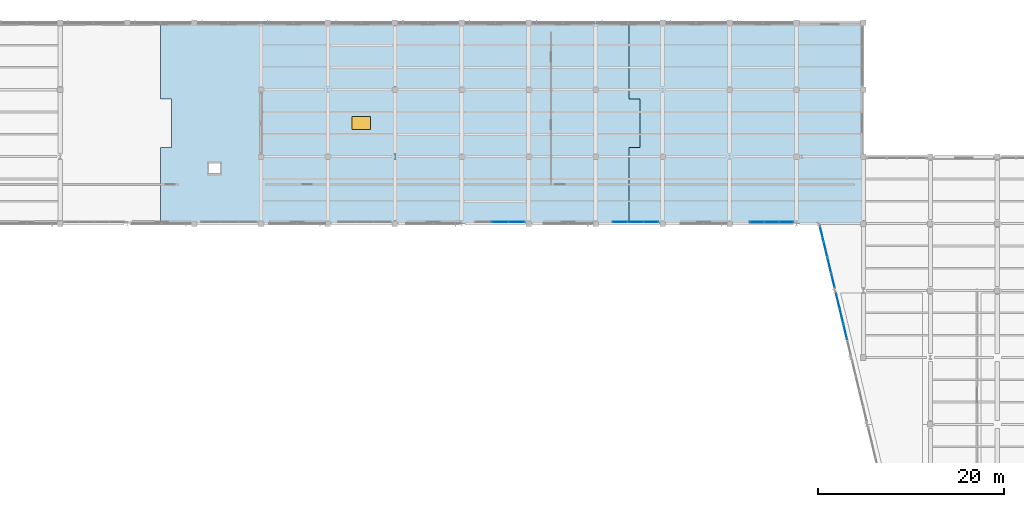
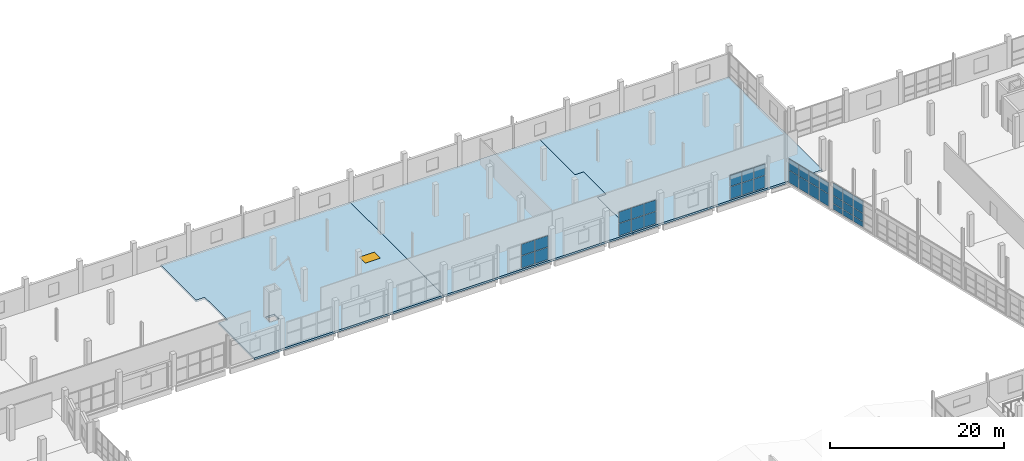
# One storey, part 77 of 123: 33 plates, 3 slabs, 1 window, 1 opening, 5 elements without a shape of their own.
"""IFC4 building model written with IfcOpenShell, lengths in metres."""

from ifc_helpers import new_model, si_unit, direction, frame, origin, origin_2d, place, context, subcontext, project, spatial, polyline, rectangle, outline, extrude, material, layer, layer_set, type_object, element, fill, aggregate, save


model = new_model("IFC4")

# Units and contexts
model_context = context("Model", 3, precision=1e-05, world=origin(), true_north=direction((0.0, 1.0)))
body_context = subcontext(model_context, "Body", "Model", "MODEL_VIEW")
ifc_project = project(units=[si_unit("LENGTHUNIT", "METRE"), si_unit("AREAUNIT", "SQUARE_METRE"), si_unit("VOLUMEUNIT", "CUBIC_METRE"), si_unit("PLANEANGLEUNIT", "RADIAN"), si_unit("MASSUNIT", "GRAM", prefix="KILO")], contexts=[model_context])

# Site, building, storey
site_placement = place(None, origin())
site = spatial("IfcSite", under=ifc_project, at=site_placement, CompositionType="ELEMENT")
building_placement = place(site_placement, origin())
building = spatial("IfcBuilding", under=site, at=building_placement, Name="Kalmorath City Hall", CompositionType="ELEMENT")
storey_placement = place(building_placement, frame((0.0, 0.0, 10.199951171875)))
storey = spatial("IfcBuildingStorey", under=building, at=storey_placement, Name="L02", CompositionType="ELEMENT", Elevation=10.199951171875)

# Slab, opening, window
ifc_material_1 = material(Name="Concrete C40/50", Category="concrete")
ifc_layer_1 = layer(ifc_material_1, 0.280029296875)
ifc_layer_set_1 = layer_set([ifc_layer_1], Name="Concrete C40/50")
slab_type = type_object("IfcSlabType", Name="Concrete composite floor slab 280", PredefinedType="FLOOR", material=ifc_layer_set_1)
slab_1_placement = place(storey_placement, frame((0.0, 0.0, -0.280029296875)))
slab_1 = element("IfcSlab", 1, at=slab_1_placement, inside=storey, type_object=slab_type, Name="L02 Basalt Rear Committee Wing slab FS2-2", PredefinedType="FLOOR", context=body_context, shape_type="SweptSolid", body=[
    extrude(outline(polyline([(54.0, 101.800048828125), (55.14990234375, 101.800048828125), (55.14990234375, 107.0), (54.0, 107.0), (54.0, 115.199951171875), (79.199951171875, 115.199951171875), (79.199951171875, 93.60009765625), (54.0, 93.60009765625), (54.0, 101.800048828125)]), holes=[polyline([(59.199951171875, 100.080078125), (59.199951171875, 99.0), (60.39990234375, 99.0), (60.39990234375, 100.080078125), (59.199951171875, 100.080078125)])]), origin(), (0.0, 0.0, 1.0), 0.280029296875),
])
opening_placement = place(slab_1_placement, frame((75.60009765625, 104.39990234375, 0.0)))
opening = element("IfcOpeningElement", 2, at=opening_placement, cuts=slab_1, Name="Opening SK2", PredefinedType="OPENING", context=body_context, shape_type="SweptSolid", body=[
    extrude(rectangle(XDim=2.0, YDim=1.39990234375, at=origin_2d()), origin(), (0.0, 0.0, 1.0), 0.280029296875),
])
ifc_material_2 = material(Name="Aluminium and laminated glass", Category="aluminium")
window_type = type_object("IfcWindowType", Name="Library clerestory roof skylight 2000x1400", PartitioningType="SINGLE_PANEL", PredefinedType="SKYLIGHT", material=ifc_material_2)
window_placement = place(opening_placement, frame((0.0, 0.0, 0.22998046875)))
window = element("IfcWindow", 3, at=window_placement, inside=storey, type_object=window_type, Name="L02 skylight SK2-5", OverallHeight=1.39990234375, OverallWidth=2.0, PartitioningType="SINGLE_PANEL", PredefinedType="SKYLIGHT", context=body_context, shape_type="SweptSolid", body=[
    extrude(rectangle(XDim=2.0, YDim=1.39990234375, at=origin_2d()), origin(), (0.0, 0.0, 1.0), 0.050048828125),
])
fill(opening, window)

# Slabs
slab_2_placement = place(storey_placement, frame((0.0, 0.0, -0.280029296875)))
element("IfcSlab", 4, at=slab_2_placement, inside=storey, type_object=slab_type, Name="L02 Basalt Rear Committee Wing slab FS2-3", PredefinedType="FLOOR", context=body_context, shape_type="SweptSolid", body=[
    extrude(outline(polyline([(79.199951171875, 115.199951171875), (104.39990234375, 115.199951171875), (104.39990234375, 107.0), (105.550048828125, 107.0), (105.550048828125, 101.800048828125), (104.39990234375, 101.800048828125), (104.39990234375, 93.60009765625), (79.199951171875, 93.60009765625), (79.199951171875, 115.199951171875)])), origin(), (0.0, 0.0, 1.0), 0.280029296875),
])
slab_3_placement = place(storey_placement, frame((0.0, 0.0, -0.280029296875)))
element("IfcSlab", 5, at=slab_3_placement, inside=storey, type_object=slab_type, Name="L02 Basalt Rear Committee Wing slab FS2-4", PredefinedType="FLOOR", context=body_context, shape_type="SweptSolid", body=[
    extrude(outline(polyline([(104.39990234375, 101.800048828125), (105.550048828125, 101.800048828125), (105.550048828125, 107.0), (104.39990234375, 107.0), (104.39990234375, 115.199951171875), (129.60009765625, 115.199951171875), (129.60009765625, 93.60009765625), (104.39990234375, 93.60009765625), (104.39990234375, 101.800048828125)])), origin(), (0.0, 0.0, 1.0), 0.280029296875),
])

# Curtain wall, plates
ifc_material_3 = material(Name="Anodised aluminium and laminated glass", Category="aluminium")
curtain_wall_type_1 = type_object("IfcCurtainWallType", Name="Unitised hurricane curtain wall 5041x3471 M1750", PredefinedType="NOTDEFINED", material=ifc_material_3)
curtain_wall_1_placement = place(storey_placement, origin())
curtain_wall_1 = element("IfcCurtainWall", 6, at=curtain_wall_1_placement, inside=storey, type_object=curtain_wall_type_1, Name="L02 curtain wall CW-50X35M18 #133", PredefinedType="NOTDEFINED")
ifc_material_4 = material(Name="Hurricane laminated low-E glass", Category="glass")
ifc_layer_2 = layer(ifc_material_4, 0.028076171875)
ifc_layer_set_2 = layer_set([ifc_layer_2], Name="Hurricane laminated low-E glass")
plate_type_1 = type_object("IfcPlateType", Name="Courtyard solar-control glazed panel 28", PredefinedType="CURTAIN_PANEL", material=ifc_layer_set_2)
plate_1_placement = place(storey_placement, frame((106.753662109375, 93.760009765625, 0.06005859375), z_axis=(0.0, 0.0, 1.0), x_axis=(-1.0, 0.0, 0.0)))
plate_1 = element("IfcPlate", 7, at=plate_1_placement, type_object=plate_type_1, Name="CW-50X35M18 panel 1.1", PredefinedType="CURTAIN_PANEL", context=body_context, shape_type="SweptSolid", body=[
    extrude(rectangle(XDim=1.582763671875, YDim=0.028076171875, at=origin_2d()), origin(), (0.0, 0.0, 1.0), 1.715087890625),
])
plate_2_placement = place(storey_placement, frame((106.753662109375, 93.760009765625, 1.8349609375), z_axis=(0.0, 0.0, 1.0), x_axis=(-1.0, 0.0, 0.0)))
plate_2 = element("IfcPlate", 8, at=plate_2_placement, type_object=plate_type_1, Name="CW-50X35M18 panel 1.2", PredefinedType="CURTAIN_PANEL", context=body_context, shape_type="SweptSolid", body=[
    extrude(rectangle(XDim=1.582763671875, YDim=0.028076171875, at=origin_2d()), origin(), (0.0, 0.0, 1.0), 1.575927734375),
])
plate_3_placement = place(storey_placement, frame((105.08935546875, 93.760009765625, 0.06005859375), z_axis=(0.0, 0.0, 1.0), x_axis=(-1.0, 0.0, 0.0)))
plate_3 = element("IfcPlate", 9, at=plate_3_placement, type_object=plate_type_1, Name="CW-50X35M18 panel 2.1", PredefinedType="CURTAIN_PANEL", context=body_context, shape_type="SweptSolid", body=[
    extrude(rectangle(XDim=1.615478515625, YDim=0.028076171875, at=origin_2d()), origin(), (0.0, 0.0, 1.0), 1.715087890625),
])
plate_4_placement = place(storey_placement, frame((105.08935546875, 93.760009765625, 1.8349609375), z_axis=(0.0, 0.0, 1.0), x_axis=(-1.0, 0.0, 0.0)))
plate_4 = element("IfcPlate", 10, at=plate_4_placement, type_object=plate_type_1, Name="CW-50X35M18 panel 2.2", PredefinedType="CURTAIN_PANEL", context=body_context, shape_type="SweptSolid", body=[
    extrude(rectangle(XDim=1.615478515625, YDim=0.028076171875, at=origin_2d()), origin(), (0.0, 0.0, 1.0), 1.575927734375),
])
plate_5_placement = place(storey_placement, frame((103.42529296875, 93.760009765625, 0.06005859375), z_axis=(0.0, 0.0, 1.0), x_axis=(-1.0, 0.0, 0.0)))
plate_5 = element("IfcPlate", 11, at=plate_5_placement, type_object=plate_type_1, Name="CW-50X35M18 panel 3.1", PredefinedType="CURTAIN_PANEL", context=body_context, shape_type="SweptSolid", body=[
    extrude(rectangle(XDim=1.582763671875, YDim=0.028076171875, at=origin_2d()), origin(), (0.0, 0.0, 1.0), 1.715087890625),
])
plate_6_placement = place(storey_placement, frame((103.42529296875, 93.760009765625, 1.8349609375), z_axis=(0.0, 0.0, 1.0), x_axis=(-1.0, 0.0, 0.0)))
plate_6 = element("IfcPlate", 12, at=plate_6_placement, type_object=plate_type_1, Name="CW-50X35M18 panel 3.2", PredefinedType="CURTAIN_PANEL", context=body_context, shape_type="SweptSolid", body=[
    extrude(rectangle(XDim=1.582763671875, YDim=0.028076171875, at=origin_2d()), origin(), (0.0, 0.0, 1.0), 1.575927734375),
])
aggregate(curtain_wall_1, [plate_1, plate_2, plate_3, plate_4, plate_5, plate_6])

ifc_material_5 = material(Name="Anodised aluminium and laminated glass", Category="aluminium")
curtain_wall_type_2 = type_object("IfcCurtainWallType", Name="Unitised hurricane curtain wall 5395x3471 M1750", PredefinedType="NOTDEFINED", material=ifc_material_5)
curtain_wall_2_placement = place(storey_placement, origin())
curtain_wall_2 = element("IfcCurtainWall", 13, at=curtain_wall_2_placement, inside=storey, type_object=curtain_wall_type_2, Name="L02 curtain wall CW-54X35M18 #134", PredefinedType="NOTDEFINED")
plate_7_placement = place(storey_placement, frame((92.294677734375, 93.760009765625, 0.06005859375), z_axis=(0.0, 0.0, 1.0), x_axis=(-1.0, 0.0, 0.0)))
plate_7 = element("IfcPlate", 14, at=plate_7_placement, type_object=plate_type_1, Name="CW-54X35M18 panel 1.1", PredefinedType="CURTAIN_PANEL", context=body_context, shape_type="SweptSolid", body=[
    extrude(rectangle(XDim=1.70068359375, YDim=0.028076171875, at=origin_2d()), origin(), (0.0, 0.0, 1.0), 1.715087890625),
])
plate_8_placement = place(storey_placement, frame((92.294677734375, 93.760009765625, 1.8349609375), z_axis=(0.0, 0.0, 1.0), x_axis=(-1.0, 0.0, 0.0)))
plate_8 = element("IfcPlate", 15, at=plate_8_placement, type_object=plate_type_1, Name="CW-54X35M18 panel 1.2", PredefinedType="CURTAIN_PANEL", context=body_context, shape_type="SweptSolid", body=[
    extrude(rectangle(XDim=1.70068359375, YDim=0.028076171875, at=origin_2d()), origin(), (0.0, 0.0, 1.0), 1.575927734375),
])
plate_9_placement = place(storey_placement, frame((90.5126953125, 93.760009765625, 0.06005859375), z_axis=(0.0, 0.0, 1.0), x_axis=(-1.0, 0.0, 0.0)))
plate_9 = element("IfcPlate", 16, at=plate_9_placement, type_object=plate_type_1, Name="CW-54X35M18 panel 2.1", PredefinedType="CURTAIN_PANEL", context=body_context, shape_type="SweptSolid", body=[
    extrude(rectangle(XDim=1.733154296875, YDim=0.028076171875, at=origin_2d()), origin(), (0.0, 0.0, 1.0), 1.715087890625),
])
plate_10_placement = place(storey_placement, frame((90.5126953125, 93.760009765625, 1.8349609375), z_axis=(0.0, 0.0, 1.0), x_axis=(-1.0, 0.0, 0.0)))
plate_10 = element("IfcPlate", 17, at=plate_10_placement, type_object=plate_type_1, Name="CW-54X35M18 panel 2.2", PredefinedType="CURTAIN_PANEL", context=body_context, shape_type="SweptSolid", body=[
    extrude(rectangle(XDim=1.733154296875, YDim=0.028076171875, at=origin_2d()), origin(), (0.0, 0.0, 1.0), 1.575927734375),
])
aggregate(curtain_wall_2, [plate_7, plate_8, plate_9, plate_10])

ifc_material_6 = material(Name="Anodised aluminium and laminated glass", Category="aluminium")
curtain_wall_type_3 = type_object("IfcCurtainWallType", Name="Unitised hurricane curtain wall 6849x3835 M1850", PredefinedType="NOTDEFINED", material=ifc_material_6)
curtain_wall_3_placement = place(storey_placement, origin())
curtain_wall_3 = element("IfcCurtainWall", 18, at=curtain_wall_3_placement, inside=storey, type_object=curtain_wall_type_3, Name="L02 curtain wall CW-68X38M18 #130", PredefinedType="NOTDEFINED")
ifc_material_7 = material(Name="Hurricane laminated low-E glass", Category="glass")
ifc_layer_3 = layer(ifc_material_7, 0.035888671875)
ifc_layer_set_3 = layer_set([ifc_layer_3], Name="Hurricane laminated low-E glass")
plate_type_2 = type_object("IfcPlateType", Name="Library acoustic low-E glazed panel 36", PredefinedType="CURTAIN_PANEL", material=ifc_layer_set_3)
plate_11_placement = place(storey_placement, frame((127.656982421875, 81.967529296875, 0.06005859375), z_axis=(0.0, 0.0, 1.0), x_axis=(-0.233455781305, 0.97236741933, 0.0)))
plate_11 = element("IfcPlate", 19, at=plate_11_placement, type_object=plate_type_2, Name="CW-68X38M18 panel 2.1", PredefinedType="CURTAIN_PANEL", context=body_context, shape_type="SweptSolid", body=[
    extrude(rectangle(XDim=1.63720703125, YDim=0.035888671875, at=origin_2d()), origin(), (0.0, 0.0, 1.0), 0.760009765625),
])
plate_12_placement = place(storey_placement, frame((127.656982421875, 81.967529296875, 0.880126953125), z_axis=(0.0, 0.0, 1.0), x_axis=(-0.233455781305, 0.97236741933, 0.0)))
plate_12 = element("IfcPlate", 20, at=plate_12_placement, type_object=plate_type_2, Name="CW-68X38M18 panel 2.2", PredefinedType="CURTAIN_PANEL", context=body_context, shape_type="SweptSolid", body=[
    extrude(rectangle(XDim=1.63720703125, YDim=0.035888671875, at=origin_2d()), origin(), (0.0, 0.0, 1.0), 1.083984375),
])
plate_13_placement = place(storey_placement, frame((127.656982421875, 81.967529296875, 2.024169921875), z_axis=(0.0, 0.0, 1.0), x_axis=(-0.233455781305, 0.97236741933, 0.0)))
plate_13 = element("IfcPlate", 21, at=plate_13_placement, type_object=plate_type_2, Name="CW-68X38M18 panel 2.3", PredefinedType="CURTAIN_PANEL", context=body_context, shape_type="SweptSolid", body=[
    extrude(rectangle(XDim=1.63720703125, YDim=0.035888671875, at=origin_2d()), origin(), (0.0, 0.0, 1.0), 1.7509765625),
])
plate_14_placement = place(storey_placement, frame((127.25732421875, 83.632568359375, 0.06005859375), z_axis=(0.0, 0.0, 1.0), x_axis=(-0.233455781305, 0.97236741933, 0.0)))
plate_14 = element("IfcPlate", 22, at=plate_14_placement, type_object=plate_type_2, Name="CW-68X38M18 panel 3.1", PredefinedType="CURTAIN_PANEL", context=body_context, shape_type="SweptSolid", body=[
    extrude(rectangle(XDim=1.63720703125, YDim=0.035888671875, at=origin_2d()), origin(), (0.0, 0.0, 1.0), 0.760009765625),
])
plate_15_placement = place(storey_placement, frame((127.25732421875, 83.632568359375, 0.880126953125), z_axis=(0.0, 0.0, 1.0), x_axis=(-0.233455781305, 0.97236741933, 0.0)))
plate_15 = element("IfcPlate", 23, at=plate_15_placement, type_object=plate_type_2, Name="CW-68X38M18 panel 3.2", PredefinedType="CURTAIN_PANEL", context=body_context, shape_type="SweptSolid", body=[
    extrude(rectangle(XDim=1.63720703125, YDim=0.035888671875, at=origin_2d()), origin(), (0.0, 0.0, 1.0), 1.083984375),
])
plate_16_placement = place(storey_placement, frame((127.25732421875, 83.632568359375, 2.024169921875), z_axis=(0.0, 0.0, 1.0), x_axis=(-0.233455781305, 0.97236741933, 0.0)))
plate_16 = element("IfcPlate", 24, at=plate_16_placement, type_object=plate_type_2, Name="CW-68X38M18 panel 3.3", PredefinedType="CURTAIN_PANEL", context=body_context, shape_type="SweptSolid", body=[
    extrude(rectangle(XDim=1.63720703125, YDim=0.035888671875, at=origin_2d()), origin(), (0.0, 0.0, 1.0), 1.7509765625),
])
plate_17_placement = place(storey_placement, frame((126.86181640625, 85.279296875, 0.06005859375), z_axis=(0.0, 0.0, 1.0), x_axis=(-0.233455781305, 0.97236741933, 0.0)))
plate_17 = element("IfcPlate", 25, at=plate_17_placement, type_object=plate_type_2, Name="CW-68X38M18 panel 4.1", PredefinedType="CURTAIN_PANEL", context=body_context, shape_type="SweptSolid", body=[
    extrude(rectangle(XDim=1.599853515625, YDim=0.035888671875, at=origin_2d()), origin(), (0.0, 0.0, 1.0), 0.760009765625),
])
plate_18_placement = place(storey_placement, frame((126.86181640625, 85.279296875, 0.880126953125), z_axis=(0.0, 0.0, 1.0), x_axis=(-0.233455781305, 0.97236741933, 0.0)))
plate_18 = element("IfcPlate", 26, at=plate_18_placement, type_object=plate_type_2, Name="CW-68X38M18 panel 4.2", PredefinedType="CURTAIN_PANEL", context=body_context, shape_type="SweptSolid", body=[
    extrude(rectangle(XDim=1.599853515625, YDim=0.035888671875, at=origin_2d()), origin(), (0.0, 0.0, 1.0), 1.083984375),
])
plate_19_placement = place(storey_placement, frame((126.86181640625, 85.279296875, 2.024169921875), z_axis=(0.0, 0.0, 1.0), x_axis=(-0.233455781305, 0.97236741933, 0.0)))
plate_19 = element("IfcPlate", 27, at=plate_19_placement, type_object=plate_type_2, Name="CW-68X38M18 panel 4.3", PredefinedType="CURTAIN_PANEL", context=body_context, shape_type="SweptSolid", body=[
    extrude(rectangle(XDim=1.599853515625, YDim=0.035888671875, at=origin_2d()), origin(), (0.0, 0.0, 1.0), 1.7509765625),
])
aggregate(curtain_wall_3, [plate_11, plate_12, plate_13, plate_14, plate_15, plate_16, plate_17, plate_18, plate_19])

ifc_material_8 = material(Name="Anodised aluminium and laminated glass", Category="aluminium")
curtain_wall_type_4 = type_object("IfcCurtainWallType", Name="Unitised hurricane curtain wall 6849x3471 M1850", PredefinedType="NOTDEFINED", material=ifc_material_8)
curtain_wall_4_placement = place(storey_placement, origin())
curtain_wall_4 = element("IfcCurtainWall", 28, at=curtain_wall_4_placement, inside=storey, type_object=curtain_wall_type_4, Name="L02 curtain wall CW-68X35M18 #131", PredefinedType="NOTDEFINED")
plate_20_placement = place(storey_placement, frame((126.32373046875, 87.520751953125, 0.06005859375), z_axis=(0.0, 0.0, 1.0), x_axis=(-0.233455781305, 0.97236741933, 0.0)))
plate_20 = element("IfcPlate", 29, at=plate_20_placement, type_object=plate_type_2, Name="CW-68X35M18 panel 1.1", PredefinedType="CURTAIN_PANEL", context=body_context, shape_type="SweptSolid", body=[
    extrude(rectangle(XDim=1.599853515625, YDim=0.035888671875, at=origin_2d()), origin(), (0.0, 0.0, 1.0), 1.715087890625),
])
plate_21_placement = place(storey_placement, frame((126.32373046875, 87.520751953125, 1.8349609375), z_axis=(0.0, 0.0, 1.0), x_axis=(-0.233455781305, 0.97236741933, 0.0)))
plate_21 = element("IfcPlate", 30, at=plate_21_placement, type_object=plate_type_2, Name="CW-68X35M18 panel 1.2", PredefinedType="CURTAIN_PANEL", context=body_context, shape_type="SweptSolid", body=[
    extrude(rectangle(XDim=1.599853515625, YDim=0.035888671875, at=origin_2d()), origin(), (0.0, 0.0, 1.0), 1.575927734375),
])
plate_22_placement = place(storey_placement, frame((125.928466796875, 89.16748046875, 0.06005859375), z_axis=(0.0, 0.0, 1.0), x_axis=(-0.233455781305, 0.97236741933, 0.0)))
plate_22 = element("IfcPlate", 31, at=plate_22_placement, type_object=plate_type_2, Name="CW-68X35M18 panel 2.1", PredefinedType="CURTAIN_PANEL", context=body_context, shape_type="SweptSolid", body=[
    extrude(rectangle(XDim=1.63720703125, YDim=0.035888671875, at=origin_2d()), origin(), (0.0, 0.0, 1.0), 1.715087890625),
])
plate_23_placement = place(storey_placement, frame((125.928466796875, 89.16748046875, 1.8349609375), z_axis=(0.0, 0.0, 1.0), x_axis=(-0.233455781305, 0.97236741933, 0.0)))
plate_23 = element("IfcPlate", 32, at=plate_23_placement, type_object=plate_type_2, Name="CW-68X35M18 panel 2.2", PredefinedType="CURTAIN_PANEL", context=body_context, shape_type="SweptSolid", body=[
    extrude(rectangle(XDim=1.63720703125, YDim=0.035888671875, at=origin_2d()), origin(), (0.0, 0.0, 1.0), 1.575927734375),
])
plate_24_placement = place(storey_placement, frame((125.528564453125, 90.83251953125, 0.06005859375), z_axis=(0.0, 0.0, 1.0), x_axis=(-0.233455781305, 0.97236741933, 0.0)))
plate_24 = element("IfcPlate", 33, at=plate_24_placement, type_object=plate_type_2, Name="CW-68X35M18 panel 3.1", PredefinedType="CURTAIN_PANEL", context=body_context, shape_type="SweptSolid", body=[
    extrude(rectangle(XDim=1.63720703125, YDim=0.035888671875, at=origin_2d()), origin(), (0.0, 0.0, 1.0), 1.715087890625),
])
plate_25_placement = place(storey_placement, frame((125.528564453125, 90.83251953125, 1.8349609375), z_axis=(0.0, 0.0, 1.0), x_axis=(-0.233455781305, 0.97236741933, 0.0)))
plate_25 = element("IfcPlate", 34, at=plate_25_placement, type_object=plate_type_2, Name="CW-68X35M18 panel 3.2", PredefinedType="CURTAIN_PANEL", context=body_context, shape_type="SweptSolid", body=[
    extrude(rectangle(XDim=1.63720703125, YDim=0.035888671875, at=origin_2d()), origin(), (0.0, 0.0, 1.0), 1.575927734375),
])
plate_26_placement = place(storey_placement, frame((125.13330078125, 92.479248046875, 0.06005859375), z_axis=(0.0, 0.0, 1.0), x_axis=(-0.233455781305, 0.97236741933, 0.0)))
plate_26 = element("IfcPlate", 35, at=plate_26_placement, type_object=plate_type_2, Name="CW-68X35M18 panel 4.1", PredefinedType="CURTAIN_PANEL", context=body_context, shape_type="SweptSolid", body=[
    extrude(rectangle(XDim=1.599853515625, YDim=0.035888671875, at=origin_2d()), origin(), (0.0, 0.0, 1.0), 1.715087890625),
])
plate_27_placement = place(storey_placement, frame((125.13330078125, 92.479248046875, 1.8349609375), z_axis=(0.0, 0.0, 1.0), x_axis=(-0.233455781305, 0.97236741933, 0.0)))
plate_27 = element("IfcPlate", 36, at=plate_27_placement, type_object=plate_type_2, Name="CW-68X35M18 panel 4.2", PredefinedType="CURTAIN_PANEL", context=body_context, shape_type="SweptSolid", body=[
    extrude(rectangle(XDim=1.599853515625, YDim=0.035888671875, at=origin_2d()), origin(), (0.0, 0.0, 1.0), 1.575927734375),
])
aggregate(curtain_wall_4, [plate_20, plate_21, plate_22, plate_23, plate_24, plate_25, plate_26, plate_27])

ifc_material_9 = material(Name="Anodised aluminium and laminated glass", Category="aluminium")
curtain_wall_type_5 = type_object("IfcCurtainWallType", Name="Unitised hurricane curtain wall 4811x3451 M1850", PredefinedType="NOTDEFINED", material=ifc_material_9)
curtain_wall_5_placement = place(storey_placement, origin())
curtain_wall_5 = element("IfcCurtainWall", 37, at=curtain_wall_5_placement, inside=storey, type_object=curtain_wall_type_5, Name="L02 curtain wall CW-48X35M18 #132", PredefinedType="NOTDEFINED")
plate_28_placement = place(storey_placement, frame((121.31298828125, 93.760009765625, 0.06005859375), z_axis=(0.0, 0.0, 1.0), x_axis=(-1.0, 0.0, 0.0)))
plate_28 = element("IfcPlate", 38, at=plate_28_placement, type_object=plate_type_2, Name="CW-48X35M18 panel 1.1", PredefinedType="CURTAIN_PANEL", context=body_context, shape_type="SweptSolid", body=[
    extrude(rectangle(XDim=1.4912109375, YDim=0.035888671875, at=origin_2d()), origin(), (0.0, 0.0, 1.0), 1.705078125),
])
plate_29_placement = place(storey_placement, frame((121.31298828125, 93.760009765625, 1.8251953125), z_axis=(0.0, 0.0, 1.0), x_axis=(-1.0, 0.0, 0.0)))
plate_29 = element("IfcPlate", 39, at=plate_29_placement, type_object=plate_type_2, Name="CW-48X35M18 panel 1.2", PredefinedType="CURTAIN_PANEL", context=body_context, shape_type="SweptSolid", body=[
    extrude(rectangle(XDim=1.4912109375, YDim=0.035888671875, at=origin_2d()), origin(), (0.0, 0.0, 1.0), 1.56591796875),
])
plate_30_placement = place(storey_placement, frame((119.72802734375, 93.760009765625, 0.06005859375), z_axis=(0.0, 0.0, 1.0), x_axis=(-1.0, 0.0, 0.0)))
plate_30 = element("IfcPlate", 40, at=plate_30_placement, type_object=plate_type_2, Name="CW-48X35M18 panel 2.1", PredefinedType="CURTAIN_PANEL", context=body_context, shape_type="SweptSolid", body=[
    extrude(rectangle(XDim=1.528564453125, YDim=0.035888671875, at=origin_2d()), origin(), (0.0, 0.0, 1.0), 1.705078125),
])
plate_31_placement = place(storey_placement, frame((119.72802734375, 93.760009765625, 1.8251953125), z_axis=(0.0, 0.0, 1.0), x_axis=(-1.0, 0.0, 0.0)))
plate_31 = element("IfcPlate", 41, at=plate_31_placement, type_object=plate_type_2, Name="CW-48X35M18 panel 2.2", PredefinedType="CURTAIN_PANEL", context=body_context, shape_type="SweptSolid", body=[
    extrude(rectangle(XDim=1.528564453125, YDim=0.035888671875, at=origin_2d()), origin(), (0.0, 0.0, 1.0), 1.56591796875),
])
plate_32_placement = place(storey_placement, frame((118.143310546875, 93.760009765625, 0.06005859375), z_axis=(0.0, 0.0, 1.0), x_axis=(-1.0, 0.0, 0.0)))
plate_32 = element("IfcPlate", 42, at=plate_32_placement, type_object=plate_type_2, Name="CW-48X35M18 panel 3.1", PredefinedType="CURTAIN_PANEL", context=body_context, shape_type="SweptSolid", body=[
    extrude(rectangle(XDim=1.4912109375, YDim=0.035888671875, at=origin_2d()), origin(), (0.0, 0.0, 1.0), 1.705078125),
])
plate_33_placement = place(storey_placement, frame((118.143310546875, 93.760009765625, 1.8251953125), z_axis=(0.0, 0.0, 1.0), x_axis=(-1.0, 0.0, 0.0)))
plate_33 = element("IfcPlate", 43, at=plate_33_placement, type_object=plate_type_2, Name="CW-48X35M18 panel 3.2", PredefinedType="CURTAIN_PANEL", context=body_context, shape_type="SweptSolid", body=[
    extrude(rectangle(XDim=1.4912109375, YDim=0.035888671875, at=origin_2d()), origin(), (0.0, 0.0, 1.0), 1.56591796875),
])
aggregate(curtain_wall_5, [plate_28, plate_29, plate_30, plate_31, plate_32, plate_33])

save(model, "model.ifc")
